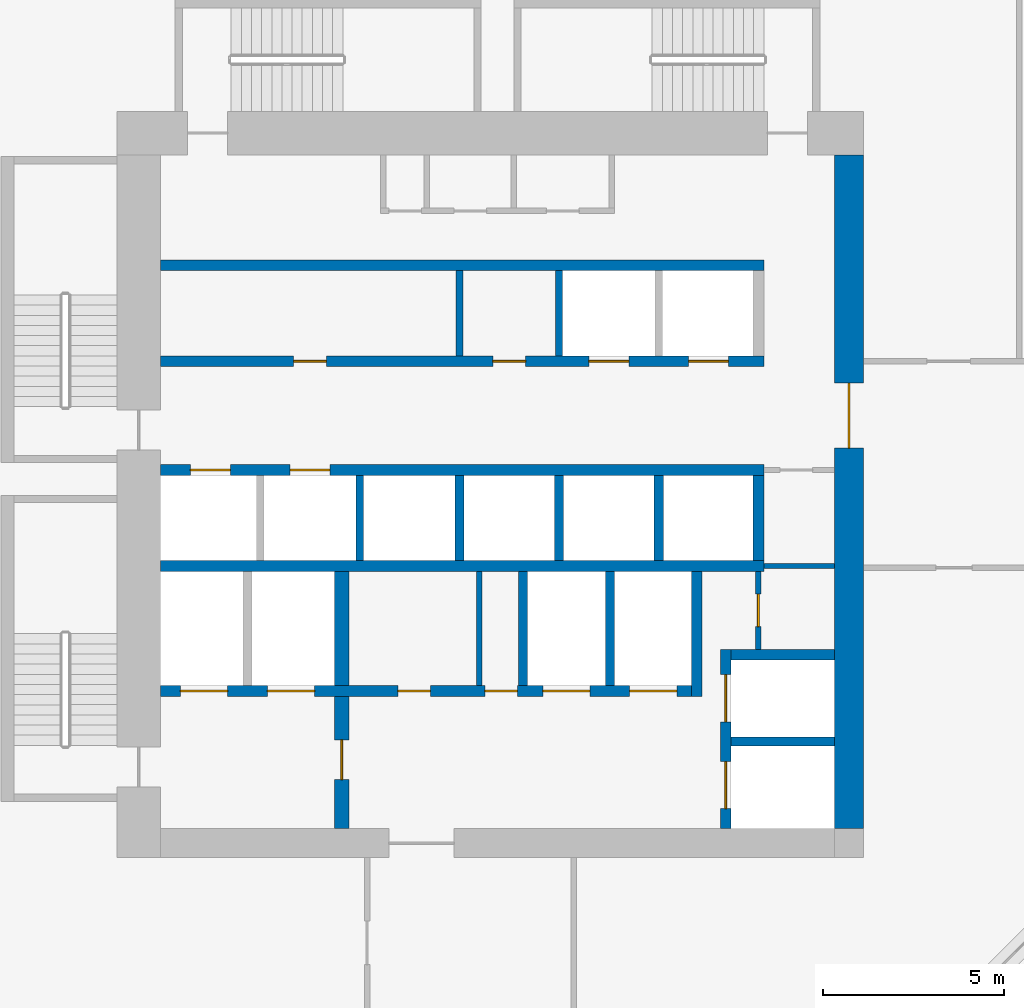
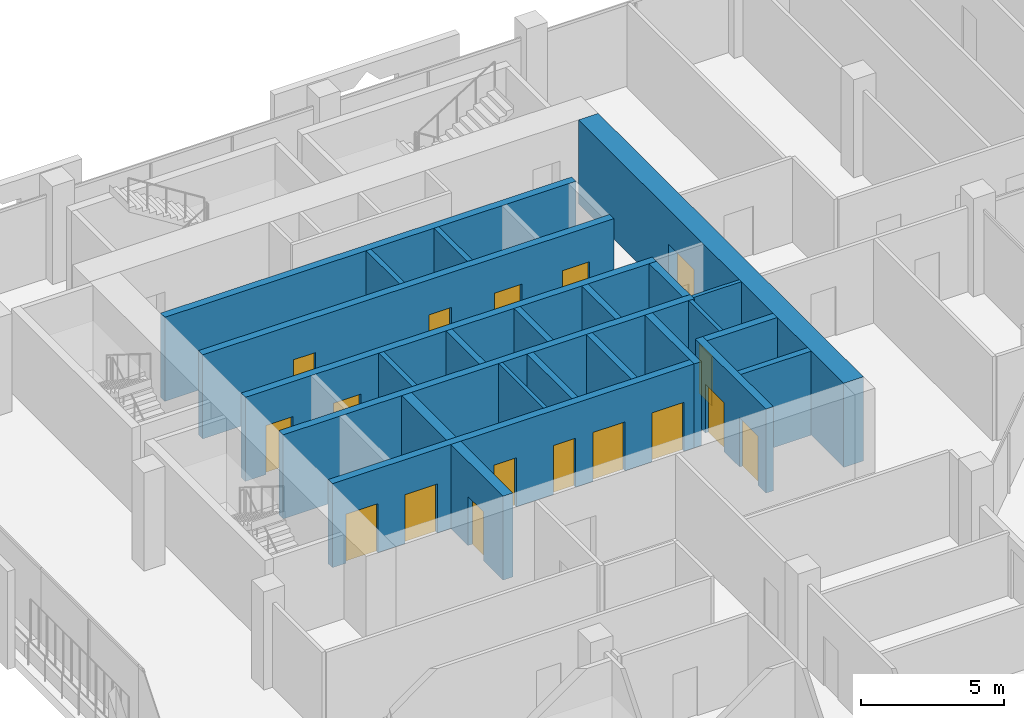
# One storey, part 13 of 23: 24 walls, 17 doors, 17 openings.
"""IFC4 building model written with IfcOpenShell, lengths in metres."""

from ifc_helpers import new_model, si_unit, direction, frame, frame_2d, origin, place, context, subcontext, project, spatial, rectangle, extrude, material, layer, layer_set, type_object, element, fill, save


model = new_model("IFC4")

# Units and contexts
model_context = context("Model", 3, precision=1e-05, world=origin(), true_north=direction((0.0, 1.0)))
body_context = subcontext(model_context, "Body", "Model", "MODEL_VIEW")
ifc_project = project(units=[si_unit("LENGTHUNIT", "METRE"), si_unit("AREAUNIT", "SQUARE_METRE"), si_unit("VOLUMEUNIT", "CUBIC_METRE"), si_unit("PLANEANGLEUNIT", "RADIAN"), si_unit("MASSUNIT", "GRAM", prefix="KILO")], contexts=[model_context])

# Site, building, storey
site_placement = place(None, origin())
site = spatial("IfcSite", under=ifc_project, at=site_placement, CompositionType="ELEMENT")
building_placement = place(site_placement, origin())
building = spatial("IfcBuilding", under=site, at=building_placement, Name="Kawkab Arch Medical Tower", CompositionType="ELEMENT")
storey_placement = place(building_placement, frame((0.0, 0.0, 222.199951171875)))
storey = spatial("IfcBuildingStorey", under=building, at=storey_placement, Name="L51", CompositionType="ELEMENT", Elevation=222.199951171875)

# Wall, opening, door
ifc_material_1 = material(Name="Concrete C50/60", Category="concrete")
ifc_layer_1 = layer(ifc_material_1, 0.800048828125)
ifc_layer_set_1 = layer_set([ifc_layer_1], Name="Concrete C50/60")
wall_type_1 = type_object("IfcWallType", Name="Core ring wall 800 C50/60", PredefinedType="SHEAR", material=ifc_layer_set_1)
wall_1_placement = place(storey_placement, frame((24.39990234375, -24.0, 0.0), z_axis=(0.0, 0.0, 1.0), x_axis=(0.0, 1.0, 0.0)))
wall_1 = element("IfcWall", 1, at=wall_1_placement, inside=storey, type_object=wall_type_1, Name="L51 core wall", PredefinedType="SHEAR", context=body_context, shape_type="SweptSolid", body=[
    extrude(rectangle(XDim=18.60009765625, YDim=0.800048828125, at=frame_2d((9.300048828125, 0.0))), origin(), (0.0, 0.0, 1.0), 3.60009765625),
])
opening_1_placement = place(wall_1_placement, frame((10.5, 0.0, 0.0)))
opening_1 = element("IfcOpeningElement", 2, at=opening_1_placement, cuts=wall_1, Name="Opening PD", PredefinedType="OPENING", context=body_context, shape_type="SweptSolid", body=[
    extrude(rectangle(XDim=1.800048828125, YDim=2.10009765625, at=frame_2d((0.89990234375, 1.050048828125))), frame((0.0, 0.409912109375, 0.0), z_axis=(0.0, -1.0, 0.0), x_axis=(1.0, 0.0, 0.0)), (0.0, 0.0, 1.0), 0.820068359375),
])
ifc_material_2 = material(Name="Hollow metal fire door leaf")
door_type_1 = type_object("IfcDoorType", Name="Core entrance doors 1800", OperationType="DOUBLE_DOOR_SINGLE_SWING", PredefinedType="DOOR", material=ifc_material_2)
door_1_placement = place(opening_1_placement, origin())
door_1 = element("IfcDoor", 3, at=door_1_placement, inside=storey, type_object=door_type_1, Name="L51 East entrance doors", OperationType="DOUBLE_DOOR_SINGLE_SWING", OverallHeight=2.10009765625, OverallWidth=1.800048828125, PredefinedType="DOOR", context=body_context, shape_type="SweptSolid", body=[
    extrude(rectangle(XDim=1.800048828125, YDim=2.10009765625, at=frame_2d((0.89990234375, 1.050048828125))), frame((0.0, 0.02490234375, 0.0), z_axis=(0.0, -1.0, 0.0), x_axis=(1.0, 0.0, 0.0)), (0.0, 0.0, 1.0), 0.050048828125),
])
fill(opening_1, door_1)

ifc_material_3 = material(Name="Gypsum board on steel studs", Category="steel")
ifc_layer_2 = layer(ifc_material_3, 0.14990234375)
ifc_layer_set_2 = layer_set([ifc_layer_2], Name="Gypsum board on steel studs")
wall_type_2 = type_object("IfcWallType", Name="Core room partition 150", PredefinedType="PARTITIONING", material=ifc_layer_set_2)
wall_2_placement = place(storey_placement, frame((21.89990234375, -19.050048828125, 0.0), z_axis=(0.0, 0.0, 1.0), x_axis=(0.0, 1.0, 0.0)))
wall_2 = element("IfcWall", 4, at=wall_2_placement, inside=storey, type_object=wall_type_2, Name="L51 core room partition", PredefinedType="PARTITIONING", context=body_context, shape_type="SweptSolid", body=[
    extrude(rectangle(XDim=2.150146484375, YDim=0.14990234375, at=frame_2d((1.0751953125, 0.0))), origin(), (0.0, 0.0, 1.0), 3.60009765625),
])
opening_2_placement = place(wall_2_placement, frame((0.625, 0.0, 0.0)))
opening_2 = element("IfcOpeningElement", 5, at=opening_2_placement, cuts=wall_2, Name="Opening RD", PredefinedType="OPENING", context=body_context, shape_type="SweptSolid", body=[
    extrude(rectangle(XDim=0.89990234375, YDim=2.10009765625, at=frame_2d((0.449951171875, 1.050048828125))), frame((0.0, 0.0849609375, 0.0), z_axis=(0.0, -1.0, 0.0), x_axis=(1.0, 0.0, 0.0)), (0.0, 0.0, 1.0), 0.169921875),
])
ifc_material_4 = material(Name="Hollow metal fire door leaf")
door_type_2 = type_object("IfcDoorType", Name="Core room door 900", OperationType="SINGLE_SWING_LEFT", PredefinedType="DOOR", material=ifc_material_4)
door_2_placement = place(opening_2_placement, origin())
door_2 = element("IfcDoor", 6, at=door_2_placement, inside=storey, type_object=door_type_2, Name="L51 Accessible WC door", OperationType="SINGLE_SWING_LEFT", OverallHeight=2.10009765625, OverallWidth=0.89990234375, PredefinedType="DOOR", context=body_context, shape_type="SweptSolid", body=[
    extrude(rectangle(XDim=0.89990234375, YDim=2.10009765625, at=frame_2d((0.449951171875, 1.050048828125))), frame((0.0, 0.02490234375, 0.0), z_axis=(0.0, -1.0, 0.0), x_axis=(1.0, 0.0, 0.0)), (0.0, 0.0, 1.0), 0.050048828125),
])
fill(opening_2, door_2)

# Walls
wall_3_placement = place(storey_placement, frame((22.050048828125, -16.75, 0.0), z_axis=(0.0, 0.0, 1.0), x_axis=(1.0, 0.0, 0.0)))
element("IfcWall", 7, at=wall_3_placement, inside=storey, type_object=wall_type_2, Name="L51 core room partition", PredefinedType="PARTITIONING", context=body_context, shape_type="SweptSolid", body=[
    extrude(rectangle(XDim=1.949951171875, YDim=0.14990234375, at=frame_2d((0.97509765625, 0.0))), origin(), (0.0, 0.0, 1.0), 3.60009765625),
])
wall_4_placement = place(storey_placement, frame((14.199951171875, -20.050048828125, 0.0), z_axis=(0.0, 0.0, 1.0), x_axis=(0.0, 1.0, 0.0)))
element("IfcWall", 8, at=wall_4_placement, inside=storey, type_object=wall_type_2, Name="L51 core room partition", PredefinedType="PARTITIONING", context=body_context, shape_type="SweptSolid", body=[
    extrude(rectangle(XDim=3.150146484375, YDim=0.14990234375, at=frame_2d((1.5751953125, 0.0))), origin(), (0.0, 0.0, 1.0), 3.60009765625),
])
ifc_material_5 = material(Name="Concrete C60/75", Category="concrete")
ifc_layer_3 = layer(ifc_material_5, 0.25)
ifc_layer_set_3 = layer_set([ifc_layer_3], Name="Concrete C60/75")
wall_type_3 = type_object("IfcWallType", Name="Core shear wall 250 C60/75", PredefinedType="SHEAR", material=ifc_layer_set_3)
wall_5_placement = place(storey_placement, frame((21.14990234375, -21.60009765625, 0.0), z_axis=(0.0, 0.0, 1.0), x_axis=(1.0, 0.0, 0.0)))
element("IfcWall", 9, at=wall_5_placement, inside=storey, type_object=wall_type_3, Name="L51 core shear wall", PredefinedType="SHEAR", context=body_context, shape_type="SweptSolid", body=[
    extrude(rectangle(XDim=2.85009765625, YDim=0.25, at=frame_2d((1.425048828125, 0.0))), origin(), (0.0, 0.0, 1.0), 3.60009765625),
])
for number, where, z_axis, x_axis, name in (
    (10, (15.39990234375, -20.050048828125, 0.0), (0.0, 0.0, 1.0), (0.0, 1.0, 0.0), "L51 core shear wall"),
    (11, (17.800048828125, -20.050048828125, 0.0), (0.0, 0.0, 1.0), (0.0, 1.0, 0.0), "L51 core shear wall"),
):
    element("IfcWall", number, at=place(storey_placement, frame(where, z_axis=z_axis, x_axis=x_axis)), inside=storey, type_object=wall_type_3, Name=name, PredefinedType="SHEAR", context=body_context, shape_type="SweptSolid", body=[
        extrude(rectangle(XDim=3.150146484375, YDim=0.25, at=frame_2d((1.5751953125, 0.0))), origin(), (0.0, 0.0, 1.0), 3.60009765625),
    ])
for number, where, z_axis, x_axis, name in (
    (12, (13.64990234375, -16.60009765625, 0.0), (0.0, 0.0, 1.0), (0.0, 1.0, 0.0), "L51 core shear wall"),
    (13, (16.39990234375, -16.60009765625, 0.0), (0.0, 0.0, 1.0), (0.0, 1.0, 0.0), "L51 core shear wall"),
    (14, (19.14990234375, -16.60009765625, 0.0), (0.0, 0.0, 1.0), (0.0, 1.0, 0.0), "L51 core shear wall"),
):
    element("IfcWall", number, at=place(storey_placement, frame(where, z_axis=z_axis, x_axis=x_axis)), inside=storey, type_object=wall_type_3, Name=name, PredefinedType="SHEAR", context=body_context, shape_type="SweptSolid", body=[
        extrude(rectangle(XDim=2.35009765625, YDim=0.25, at=frame_2d((1.175048828125, 0.0))), origin(), (0.0, 0.0, 1.0), 3.60009765625),
    ])
ifc_material_6 = material(Name="Concrete C60/75", Category="concrete")
ifc_layer_4 = layer(ifc_material_6, 0.300048828125)
ifc_layer_set_4 = layer_set([ifc_layer_4], Name="Concrete C60/75")
wall_type_4 = type_object("IfcWallType", Name="Core shear wall 300 C60/75", PredefinedType="SHEAR", material=ifc_layer_set_4)
wall_6_placement = place(storey_placement, frame((5.39990234375, -8.449951171875, 0.0), z_axis=(0.0, 0.0, 1.0), x_axis=(1.0, 0.0, 0.0)))
element("IfcWall", 15, at=wall_6_placement, inside=storey, type_object=wall_type_4, Name="L51 core shear wall", PredefinedType="SHEAR", context=body_context, shape_type="SweptSolid", body=[
    extrude(rectangle(XDim=16.650146484375, YDim=0.300048828125, at=frame_2d((8.3251953125, 0.0))), origin(), (0.0, 0.0, 1.0), 3.60009765625),
])

# Wall, openings, doors
wall_7_placement = place(storey_placement, frame((5.39990234375, -11.10009765625, 0.0), z_axis=(0.0, 0.0, 1.0), x_axis=(1.0, 0.0, 0.0)))
wall_7 = element("IfcWall", 16, at=wall_7_placement, inside=storey, type_object=wall_type_4, Name="L51 core shear wall", PredefinedType="SHEAR", context=body_context, shape_type="SweptSolid", body=[
    extrude(rectangle(XDim=16.650146484375, YDim=0.300048828125, at=frame_2d((8.3251953125, 0.0))), origin(), (0.0, 0.0, 1.0), 3.60009765625),
])
opening_3_placement = place(wall_7_placement, frame((11.824951171875, 0.0, 0.0)))
opening_3 = element("IfcOpeningElement", 17, at=opening_3_placement, cuts=wall_7, Name="Opening LD1", PredefinedType="OPENING", context=body_context, shape_type="SweptSolid", body=[
    extrude(rectangle(XDim=1.10009765625, YDim=2.10009765625, at=frame_2d((0.550048828125, 1.050048828125))), frame((0.0, 0.159912109375, 0.0), z_axis=(0.0, -1.0, 0.0), x_axis=(1.0, 0.0, 0.0)), (0.0, 0.0, 1.0), 0.320068359375),
])
opening_4_placement = place(wall_7_placement, frame((14.574951171875, 0.0, 0.0)))
opening_4 = element("IfcOpeningElement", 18, at=opening_4_placement, cuts=wall_7, Name="Opening LD1", PredefinedType="OPENING", context=body_context, shape_type="SweptSolid", body=[
    extrude(rectangle(XDim=1.10009765625, YDim=2.10009765625, at=frame_2d((0.550048828125, 1.050048828125))), frame((0.0, 0.159912109375, 0.0), z_axis=(0.0, -1.0, 0.0), x_axis=(1.0, 0.0, 0.0)), (0.0, 0.0, 1.0), 0.320068359375),
])
opening_5_placement = place(wall_7_placement, frame((3.675048828125, 0.0, 0.0)))
opening_5 = element("IfcOpeningElement", 19, at=opening_5_placement, cuts=wall_7, Name="Opening RD", PredefinedType="OPENING", context=body_context, shape_type="SweptSolid", body=[
    extrude(rectangle(XDim=0.89990234375, YDim=2.10009765625, at=frame_2d((0.449951171875, 1.050048828125))), frame((0.0, 0.159912109375, 0.0), z_axis=(0.0, -1.0, 0.0), x_axis=(1.0, 0.0, 0.0)), (0.0, 0.0, 1.0), 0.320068359375),
])
opening_6_placement = place(wall_7_placement, frame((9.175048828125, 0.0, 0.0)))
opening_6 = element("IfcOpeningElement", 20, at=opening_6_placement, cuts=wall_7, Name="Opening RD", PredefinedType="OPENING", context=body_context, shape_type="SweptSolid", body=[
    extrude(rectangle(XDim=0.89990234375, YDim=2.10009765625, at=frame_2d((0.449951171875, 1.050048828125))), frame((0.0, 0.159912109375, 0.0), z_axis=(0.0, -1.0, 0.0), x_axis=(1.0, 0.0, 0.0)), (0.0, 0.0, 1.0), 0.320068359375),
])
door_3_placement = place(opening_5_placement, origin())
door_3 = element("IfcDoor", 21, at=door_3_placement, inside=storey, type_object=door_type_2, Name="L51 Clean utility room door", OperationType="SINGLE_SWING_LEFT", OverallHeight=2.10009765625, OverallWidth=0.89990234375, PredefinedType="DOOR", context=body_context, shape_type="SweptSolid", body=[
    extrude(rectangle(XDim=0.89990234375, YDim=2.10009765625, at=frame_2d((0.449951171875, 1.050048828125))), frame((0.0, 0.02490234375, 0.0), z_axis=(0.0, -1.0, 0.0), x_axis=(1.0, 0.0, 0.0)), (0.0, 0.0, 1.0), 0.050048828125),
])
fill(opening_5, door_3)
door_4_placement = place(opening_6_placement, origin())
door_4 = element("IfcDoor", 22, at=door_4_placement, inside=storey, type_object=door_type_2, Name="L51 General store door", OperationType="SINGLE_SWING_LEFT", OverallHeight=2.10009765625, OverallWidth=0.89990234375, PredefinedType="DOOR", context=body_context, shape_type="SweptSolid", body=[
    extrude(rectangle(XDim=0.89990234375, YDim=2.10009765625, at=frame_2d((0.449951171875, 1.050048828125))), frame((0.0, 0.02490234375, 0.0), z_axis=(0.0, -1.0, 0.0), x_axis=(1.0, 0.0, 0.0)), (0.0, 0.0, 1.0), 0.050048828125),
])
fill(opening_6, door_4)
ifc_material_7 = material(Name="Stainless steel lift door leaf", Category="steel")
door_type_3 = type_object("IfcDoorType", Name="Lift landing door 1100", OperationType="DOUBLE_DOOR_SLIDING", PredefinedType="DOOR", material=ifc_material_7)
door_5_placement = place(opening_3_placement, origin())
door_5 = element("IfcDoor", 23, at=door_5_placement, inside=storey, type_object=door_type_3, Name="L51 Lift landing door MP1", OperationType="DOUBLE_DOOR_SLIDING", OverallHeight=2.10009765625, OverallWidth=1.10009765625, PredefinedType="DOOR", context=body_context, shape_type="SweptSolid", body=[
    extrude(rectangle(XDim=1.10009765625, YDim=2.10009765625, at=frame_2d((0.550048828125, 1.050048828125))), frame((0.0, 0.02490234375, 0.0), z_axis=(0.0, -1.0, 0.0), x_axis=(1.0, 0.0, 0.0)), (0.0, 0.0, 1.0), 0.050048828125),
])
fill(opening_3, door_5)
door_6_placement = place(opening_4_placement, origin())
door_6 = element("IfcDoor", 24, at=door_6_placement, inside=storey, type_object=door_type_3, Name="L51 Lift landing door MP2", OperationType="DOUBLE_DOOR_SLIDING", OverallHeight=2.10009765625, OverallWidth=1.10009765625, PredefinedType="DOOR", context=body_context, shape_type="SweptSolid", body=[
    extrude(rectangle(XDim=1.10009765625, YDim=2.10009765625, at=frame_2d((0.550048828125, 1.050048828125))), frame((0.0, 0.02490234375, 0.0), z_axis=(0.0, -1.0, 0.0), x_axis=(1.0, 0.0, 0.0)), (0.0, 0.0, 1.0), 0.050048828125),
])
fill(opening_4, door_6)

wall_8_placement = place(storey_placement, frame((5.39990234375, -14.10009765625, 0.0), z_axis=(0.0, 0.0, 1.0), x_axis=(1.0, 0.0, 0.0)))
wall_8 = element("IfcWall", 25, at=wall_8_placement, inside=storey, type_object=wall_type_4, Name="L51 core shear wall", PredefinedType="SHEAR", context=body_context, shape_type="SweptSolid", body=[
    extrude(rectangle(XDim=16.650146484375, YDim=0.300048828125, at=frame_2d((8.3251953125, 0.0))), origin(), (0.0, 0.0, 1.0), 3.60009765625),
])
opening_7_placement = place(wall_8_placement, frame((0.824951171875, 0.0, 0.0)))
opening_7 = element("IfcOpeningElement", 26, at=opening_7_placement, cuts=wall_8, Name="Opening LD1", PredefinedType="OPENING", context=body_context, shape_type="SweptSolid", body=[
    extrude(rectangle(XDim=1.10009765625, YDim=2.10009765625, at=frame_2d((0.550048828125, 1.050048828125))), frame((0.0, 0.159912109375, 0.0), z_axis=(0.0, -1.0, 0.0), x_axis=(1.0, 0.0, 0.0)), (0.0, 0.0, 1.0), 0.320068359375),
])
opening_8_placement = place(wall_8_placement, frame((3.574951171875, 0.0, 0.0)))
opening_8 = element("IfcOpeningElement", 27, at=opening_8_placement, cuts=wall_8, Name="Opening LD1", PredefinedType="OPENING", context=body_context, shape_type="SweptSolid", body=[
    extrude(rectangle(XDim=1.10009765625, YDim=2.10009765625, at=frame_2d((0.550048828125, 1.050048828125))), frame((0.0, 0.159912109375, 0.0), z_axis=(0.0, -1.0, 0.0), x_axis=(1.0, 0.0, 0.0)), (0.0, 0.0, 1.0), 0.320068359375),
])
door_7_placement = place(opening_7_placement, origin())
door_7 = element("IfcDoor", 28, at=door_7_placement, inside=storey, type_object=door_type_3, Name="L51 Lift landing door MP3", OperationType="DOUBLE_DOOR_SLIDING", OverallHeight=2.10009765625, OverallWidth=1.10009765625, PredefinedType="DOOR", context=body_context, shape_type="SweptSolid", body=[
    extrude(rectangle(XDim=1.10009765625, YDim=2.10009765625, at=frame_2d((0.550048828125, 1.050048828125))), frame((0.0, 0.02490234375, 0.0), z_axis=(0.0, -1.0, 0.0), x_axis=(1.0, 0.0, 0.0)), (0.0, 0.0, 1.0), 0.050048828125),
])
fill(opening_7, door_7)
door_8_placement = place(opening_8_placement, origin())
door_8 = element("IfcDoor", 29, at=door_8_placement, inside=storey, type_object=door_type_3, Name="L51 Lift landing door MP4", OperationType="DOUBLE_DOOR_SLIDING", OverallHeight=2.10009765625, OverallWidth=1.10009765625, PredefinedType="DOOR", context=body_context, shape_type="SweptSolid", body=[
    extrude(rectangle(XDim=1.10009765625, YDim=2.10009765625, at=frame_2d((0.550048828125, 1.050048828125))), frame((0.0, 0.02490234375, 0.0), z_axis=(0.0, -1.0, 0.0), x_axis=(1.0, 0.0, 0.0)), (0.0, 0.0, 1.0), 0.050048828125),
])
fill(opening_8, door_8)

# Wall
wall_9_placement = place(storey_placement, frame((5.39990234375, -16.75, 0.0), z_axis=(0.0, 0.0, 1.0), x_axis=(1.0, 0.0, 0.0)))
element("IfcWall", 30, at=wall_9_placement, inside=storey, type_object=wall_type_4, Name="L51 core shear wall", PredefinedType="SHEAR", context=body_context, shape_type="SweptSolid", body=[
    extrude(rectangle(XDim=16.650146484375, YDim=0.300048828125, at=frame_2d((8.3251953125, 0.0))), origin(), (0.0, 0.0, 1.0), 3.60009765625),
])

# Wall, openings, doors
wall_10_placement = place(storey_placement, frame((5.39990234375, -20.199951171875, 0.0), z_axis=(0.0, 0.0, 1.0), x_axis=(1.0, 0.0, 0.0)))
wall_10 = element("IfcWall", 31, at=wall_10_placement, inside=storey, type_object=wall_type_4, Name="L51 core shear wall", PredefinedType="SHEAR", context=body_context, shape_type="SweptSolid", body=[
    extrude(rectangle(XDim=14.650146484375, YDim=0.300048828125, at=frame_2d((7.3251953125, 0.0))), origin(), (0.0, 0.0, 1.0), 3.60009765625),
])
opening_9_placement = place(wall_10_placement, frame((10.550048828125, 0.0, 0.0)))
opening_9 = element("IfcOpeningElement", 32, at=opening_9_placement, cuts=wall_10, Name="Opening LD2", PredefinedType="OPENING", context=body_context, shape_type="SweptSolid", body=[
    extrude(rectangle(XDim=1.300048828125, YDim=2.10009765625, at=frame_2d((0.64990234375, 1.050048828125))), frame((0.0, 0.159912109375, 0.0), z_axis=(0.0, -1.0, 0.0), x_axis=(1.0, 0.0, 0.0)), (0.0, 0.0, 1.0), 0.320068359375),
])
opening_10_placement = place(wall_10_placement, frame((12.949951171875, 0.0, 0.0)))
opening_10 = element("IfcOpeningElement", 33, at=opening_10_placement, cuts=wall_10, Name="Opening LD2", PredefinedType="OPENING", context=body_context, shape_type="SweptSolid", body=[
    extrude(rectangle(XDim=1.300048828125, YDim=2.10009765625, at=frame_2d((0.64990234375, 1.050048828125))), frame((0.0, 0.159912109375, 0.0), z_axis=(0.0, -1.0, 0.0), x_axis=(1.0, 0.0, 0.0)), (0.0, 0.0, 1.0), 0.320068359375),
])
opening_11_placement = place(wall_10_placement, frame((0.550048828125, 0.0, 0.0)))
opening_11 = element("IfcOpeningElement", 34, at=opening_11_placement, cuts=wall_10, Name="Opening LD2", PredefinedType="OPENING", context=body_context, shape_type="SweptSolid", body=[
    extrude(rectangle(XDim=1.300048828125, YDim=2.10009765625, at=frame_2d((0.64990234375, 1.050048828125))), frame((0.0, 0.159912109375, 0.0), z_axis=(0.0, -1.0, 0.0), x_axis=(1.0, 0.0, 0.0)), (0.0, 0.0, 1.0), 0.320068359375),
])
opening_12_placement = place(wall_10_placement, frame((2.949951171875, 0.0, 0.0)))
opening_12 = element("IfcOpeningElement", 35, at=opening_12_placement, cuts=wall_10, Name="Opening LD2", PredefinedType="OPENING", context=body_context, shape_type="SweptSolid", body=[
    extrude(rectangle(XDim=1.300048828125, YDim=2.10009765625, at=frame_2d((0.64990234375, 1.050048828125))), frame((0.0, 0.159912109375, 0.0), z_axis=(0.0, -1.0, 0.0), x_axis=(1.0, 0.0, 0.0)), (0.0, 0.0, 1.0), 0.320068359375),
])
opening_13_placement = place(wall_10_placement, frame((6.550048828125, 0.0, 0.0)))
opening_13 = element("IfcOpeningElement", 36, at=opening_13_placement, cuts=wall_10, Name="Opening RD", PredefinedType="OPENING", context=body_context, shape_type="SweptSolid", body=[
    extrude(rectangle(XDim=0.89990234375, YDim=2.10009765625, at=frame_2d((0.449951171875, 1.050048828125))), frame((0.0, 0.159912109375, 0.0), z_axis=(0.0, -1.0, 0.0), x_axis=(1.0, 0.0, 0.0)), (0.0, 0.0, 1.0), 0.320068359375),
])
opening_14_placement = place(wall_10_placement, frame((8.949951171875, 0.0, 0.0)))
opening_14 = element("IfcOpeningElement", 37, at=opening_14_placement, cuts=wall_10, Name="Opening RD", PredefinedType="OPENING", context=body_context, shape_type="SweptSolid", body=[
    extrude(rectangle(XDim=0.89990234375, YDim=2.10009765625, at=frame_2d((0.449951171875, 1.050048828125))), frame((0.0, 0.159912109375, 0.0), z_axis=(0.0, -1.0, 0.0), x_axis=(1.0, 0.0, 0.0)), (0.0, 0.0, 1.0), 0.320068359375),
])
door_9_placement = place(opening_13_placement, origin())
door_9 = element("IfcDoor", 38, at=door_9_placement, inside=storey, type_object=door_type_2, Name="L51 Ward pantry door", OperationType="SINGLE_SWING_LEFT", OverallHeight=2.10009765625, OverallWidth=0.89990234375, PredefinedType="DOOR", context=body_context, shape_type="SweptSolid", body=[
    extrude(rectangle(XDim=0.89990234375, YDim=2.10009765625, at=frame_2d((0.449951171875, 1.050048828125))), frame((0.0, 0.02490234375, 0.0), z_axis=(0.0, -1.0, 0.0), x_axis=(1.0, 0.0, 0.0)), (0.0, 0.0, 1.0), 0.050048828125),
])
fill(opening_13, door_9)
door_10_placement = place(opening_14_placement, origin())
door_10 = element("IfcDoor", 39, at=door_10_placement, inside=storey, type_object=door_type_2, Name="L51 Linen store door", OperationType="SINGLE_SWING_LEFT", OverallHeight=2.10009765625, OverallWidth=0.89990234375, PredefinedType="DOOR", context=body_context, shape_type="SweptSolid", body=[
    extrude(rectangle(XDim=0.89990234375, YDim=2.10009765625, at=frame_2d((0.449951171875, 1.050048828125))), frame((0.0, 0.02490234375, 0.0), z_axis=(0.0, -1.0, 0.0), x_axis=(1.0, 0.0, 0.0)), (0.0, 0.0, 1.0), 0.050048828125),
])
fill(opening_14, door_10)
ifc_material_8 = material(Name="Stainless steel lift door leaf", Category="steel")
door_type_4 = type_object("IfcDoorType", Name="Lift landing door 1300", OperationType="DOUBLE_DOOR_SLIDING", PredefinedType="DOOR", material=ifc_material_8)
door_11_placement = place(opening_9_placement, origin())
door_11 = element("IfcDoor", 40, at=door_11_placement, inside=storey, type_object=door_type_4, Name="L51 Lift landing door BD3", OperationType="DOUBLE_DOOR_SLIDING", OverallHeight=2.10009765625, OverallWidth=1.300048828125, PredefinedType="DOOR", context=body_context, shape_type="SweptSolid", body=[
    extrude(rectangle(XDim=1.300048828125, YDim=2.10009765625, at=frame_2d((0.64990234375, 1.050048828125))), frame((0.0, 0.02490234375, 0.0), z_axis=(0.0, -1.0, 0.0), x_axis=(1.0, 0.0, 0.0)), (0.0, 0.0, 1.0), 0.050048828125),
])
fill(opening_9, door_11)
door_12_placement = place(opening_10_placement, origin())
door_12 = element("IfcDoor", 41, at=door_12_placement, inside=storey, type_object=door_type_4, Name="L51 Lift landing door BD4", OperationType="DOUBLE_DOOR_SLIDING", OverallHeight=2.10009765625, OverallWidth=1.300048828125, PredefinedType="DOOR", context=body_context, shape_type="SweptSolid", body=[
    extrude(rectangle(XDim=1.300048828125, YDim=2.10009765625, at=frame_2d((0.64990234375, 1.050048828125))), frame((0.0, 0.02490234375, 0.0), z_axis=(0.0, -1.0, 0.0), x_axis=(1.0, 0.0, 0.0)), (0.0, 0.0, 1.0), 0.050048828125),
])
fill(opening_10, door_12)
door_13_placement = place(opening_11_placement, origin())
door_13 = element("IfcDoor", 42, at=door_13_placement, inside=storey, type_object=door_type_4, Name="L51 Lift landing door FL1", OperationType="DOUBLE_DOOR_SLIDING", OverallHeight=2.10009765625, OverallWidth=1.300048828125, PredefinedType="DOOR", context=body_context, shape_type="SweptSolid", body=[
    extrude(rectangle(XDim=1.300048828125, YDim=2.10009765625, at=frame_2d((0.64990234375, 1.050048828125))), frame((0.0, 0.02490234375, 0.0), z_axis=(0.0, -1.0, 0.0), x_axis=(1.0, 0.0, 0.0)), (0.0, 0.0, 1.0), 0.050048828125),
])
fill(opening_11, door_13)
door_14_placement = place(opening_12_placement, origin())
door_14 = element("IfcDoor", 43, at=door_14_placement, inside=storey, type_object=door_type_4, Name="L51 Lift landing door FL2", OperationType="DOUBLE_DOOR_SLIDING", OverallHeight=2.10009765625, OverallWidth=1.300048828125, PredefinedType="DOOR", context=body_context, shape_type="SweptSolid", body=[
    extrude(rectangle(XDim=1.300048828125, YDim=2.10009765625, at=frame_2d((0.64990234375, 1.050048828125))), frame((0.0, 0.02490234375, 0.0), z_axis=(0.0, -1.0, 0.0), x_axis=(1.0, 0.0, 0.0)), (0.0, 0.0, 1.0), 0.050048828125),
])
fill(opening_12, door_14)

# Walls
wall_11_placement = place(storey_placement, frame((20.199951171875, -20.35009765625, 0.0), z_axis=(0.0, 0.0, 1.0), x_axis=(0.0, 1.0, 0.0)))
element("IfcWall", 44, at=wall_11_placement, inside=storey, type_object=wall_type_4, Name="L51 core shear wall", PredefinedType="SHEAR", context=body_context, shape_type="SweptSolid", body=[
    extrude(rectangle(XDim=3.4501953125, YDim=0.300048828125, at=frame_2d((1.72509765625, 0.0))), origin(), (0.0, 0.0, 1.0), 3.60009765625),
])
wall_12_placement = place(storey_placement, frame((21.89990234375, -16.60009765625, 0.0), z_axis=(0.0, 0.0, 1.0), x_axis=(0.0, 1.0, 0.0)))
element("IfcWall", 45, at=wall_12_placement, inside=storey, type_object=wall_type_4, Name="L51 core shear wall", PredefinedType="SHEAR", context=body_context, shape_type="SweptSolid", body=[
    extrude(rectangle(XDim=2.35009765625, YDim=0.300048828125, at=frame_2d((1.175048828125, 0.0))), origin(), (0.0, 0.0, 1.0), 3.60009765625),
])
wall_13_placement = place(storey_placement, frame((21.14990234375, -19.199951171875, 0.0), z_axis=(0.0, 0.0, 1.0), x_axis=(1.0, 0.0, 0.0)))
element("IfcWall", 46, at=wall_13_placement, inside=storey, type_object=wall_type_4, Name="L51 core shear wall", PredefinedType="SHEAR", context=body_context, shape_type="SweptSolid", body=[
    extrude(rectangle(XDim=2.85009765625, YDim=0.300048828125, at=frame_2d((1.425048828125, 0.0))), origin(), (0.0, 0.0, 1.0), 3.60009765625),
])

# Wall, openings, doors
wall_14_placement = place(storey_placement, frame((21.0, -24.0, 0.0), z_axis=(0.0, 0.0, 1.0), x_axis=(0.0, 1.0, 0.0)))
wall_14 = element("IfcWall", 47, at=wall_14_placement, inside=storey, type_object=wall_type_4, Name="L51 core shear wall", PredefinedType="SHEAR", context=body_context, shape_type="SweptSolid", body=[
    extrude(rectangle(XDim=4.949951171875, YDim=0.300048828125, at=frame_2d((2.47509765625, 0.0))), origin(), (0.0, 0.0, 1.0), 3.60009765625),
])
opening_15_placement = place(wall_14_placement, frame((2.949951171875, 0.0, 0.0)))
opening_15 = element("IfcOpeningElement", 48, at=opening_15_placement, cuts=wall_14, Name="Opening LD2", PredefinedType="OPENING", context=body_context, shape_type="SweptSolid", body=[
    extrude(rectangle(XDim=1.300048828125, YDim=2.10009765625, at=frame_2d((0.64990234375, 1.050048828125))), frame((0.0, 0.159912109375, 0.0), z_axis=(0.0, -1.0, 0.0), x_axis=(1.0, 0.0, 0.0)), (0.0, 0.0, 1.0), 0.320068359375),
])
opening_16_placement = place(wall_14_placement, frame((0.550048828125, 0.0, 0.0)))
opening_16 = element("IfcOpeningElement", 49, at=opening_16_placement, cuts=wall_14, Name="Opening LD2", PredefinedType="OPENING", context=body_context, shape_type="SweptSolid", body=[
    extrude(rectangle(XDim=1.300048828125, YDim=2.10009765625, at=frame_2d((0.64990234375, 1.050048828125))), frame((0.0, 0.159912109375, 0.0), z_axis=(0.0, -1.0, 0.0), x_axis=(1.0, 0.0, 0.0)), (0.0, 0.0, 1.0), 0.320068359375),
])
door_15_placement = place(opening_15_placement, origin())
door_15 = element("IfcDoor", 50, at=door_15_placement, inside=storey, type_object=door_type_4, Name="L51 Lift landing door BD1", OperationType="DOUBLE_DOOR_SLIDING", OverallHeight=2.10009765625, OverallWidth=1.300048828125, PredefinedType="DOOR", context=body_context, shape_type="SweptSolid", body=[
    extrude(rectangle(XDim=1.300048828125, YDim=2.10009765625, at=frame_2d((0.64990234375, 1.050048828125))), frame((0.0, 0.02490234375, 0.0), z_axis=(0.0, -1.0, 0.0), x_axis=(1.0, 0.0, 0.0)), (0.0, 0.0, 1.0), 0.050048828125),
])
fill(opening_15, door_15)
door_16_placement = place(opening_16_placement, origin())
door_16 = element("IfcDoor", 51, at=door_16_placement, inside=storey, type_object=door_type_4, Name="L51 Lift landing door BD2", OperationType="DOUBLE_DOOR_SLIDING", OverallHeight=2.10009765625, OverallWidth=1.300048828125, PredefinedType="DOOR", context=body_context, shape_type="SweptSolid", body=[
    extrude(rectangle(XDim=1.300048828125, YDim=2.10009765625, at=frame_2d((0.64990234375, 1.050048828125))), frame((0.0, 0.02490234375, 0.0), z_axis=(0.0, -1.0, 0.0), x_axis=(1.0, 0.0, 0.0)), (0.0, 0.0, 1.0), 0.050048828125),
])
fill(opening_16, door_16)

# Wall, opening, door
ifc_material_9 = material(Name="Concrete C60/75", Category="concrete")
ifc_layer_5 = layer(ifc_material_9, 0.39990234375)
ifc_layer_set_5 = layer_set([ifc_layer_5], Name="Concrete C60/75")
wall_type_5 = type_object("IfcWallType", Name="Core shear wall 400 C60/75", PredefinedType="SHEAR", material=ifc_layer_set_5)
wall_15_placement = place(storey_placement, frame((10.39990234375, -24.0, 0.0), z_axis=(0.0, 0.0, 1.0), x_axis=(0.0, 1.0, 0.0)))
wall_15 = element("IfcWall", 52, at=wall_15_placement, inside=storey, type_object=wall_type_5, Name="L51 core shear wall", PredefinedType="SHEAR", context=body_context, shape_type="SweptSolid", body=[
    extrude(rectangle(XDim=3.64990234375, YDim=0.39990234375, at=frame_2d((1.824951171875, 0.0))), origin(), (0.0, 0.0, 1.0), 3.60009765625),
])
opening_17_placement = place(wall_15_placement, frame((1.35009765625, 0.0, 0.0)))
opening_17 = element("IfcOpeningElement", 53, at=opening_17_placement, cuts=wall_15, Name="Opening FD", PredefinedType="OPENING", context=body_context, shape_type="SweptSolid", body=[
    extrude(rectangle(XDim=1.10009765625, YDim=2.10009765625, at=frame_2d((0.550048828125, 1.050048828125))), frame((0.0, 0.2099609375, 0.0), z_axis=(0.0, -1.0, 0.0), x_axis=(1.0, 0.0, 0.0)), (0.0, 0.0, 1.0), 0.419921875),
])
ifc_material_10 = material(Name="Hollow metal fire door leaf")
door_type_5 = type_object("IfcDoorType", Name="Firefighting lobby door 1100", OperationType="SINGLE_SWING_LEFT", PredefinedType="DOOR", material=ifc_material_10)
door_17_placement = place(opening_17_placement, origin())
door_17 = element("IfcDoor", 54, at=door_17_placement, inside=storey, type_object=door_type_5, Name="L51 Firefighting lobby door", OperationType="SINGLE_SWING_LEFT", OverallHeight=2.10009765625, OverallWidth=1.10009765625, PredefinedType="DOOR", context=body_context, shape_type="SweptSolid", body=[
    extrude(rectangle(XDim=1.10009765625, YDim=2.10009765625, at=frame_2d((0.550048828125, 1.050048828125))), frame((0.0, 0.02490234375, 0.0), z_axis=(0.0, -1.0, 0.0), x_axis=(1.0, 0.0, 0.0)), (0.0, 0.0, 1.0), 0.050048828125),
])
fill(opening_17, door_17)

# Walls
wall_16_placement = place(storey_placement, frame((10.39990234375, -20.050048828125, 0.0), z_axis=(0.0, 0.0, 1.0), x_axis=(0.0, 1.0, 0.0)))
element("IfcWall", 55, at=wall_16_placement, inside=storey, type_object=wall_type_5, Name="L51 core shear wall", PredefinedType="SHEAR", context=body_context, shape_type="SweptSolid", body=[
    extrude(rectangle(XDim=3.150146484375, YDim=0.39990234375, at=frame_2d((1.5751953125, 0.0))), origin(), (0.0, 0.0, 1.0), 3.60009765625),
])
ifc_material_11 = material(Name="Dense concrete blockwork", Category="masonry")
ifc_layer_6 = layer(ifc_material_11, 0.199951171875)
ifc_layer_set_6 = layer_set([ifc_layer_6], Name="Dense concrete blockwork")
wall_type_6 = type_object("IfcWallType", Name="Lift shaft partition 200", PredefinedType="PARTITIONING", material=ifc_layer_set_6)
for number, where, z_axis, x_axis, name in (
    (56, (13.64990234375, -10.949951171875, 0.0), (0.0, 0.0, 1.0), (0.0, 1.0, 0.0), "L51 lift shaft partition"),
    (57, (16.39990234375, -10.949951171875, 0.0), (0.0, 0.0, 1.0), (0.0, 1.0, 0.0), "L51 lift shaft partition"),
):
    element("IfcWall", number, at=place(storey_placement, frame(where, z_axis=z_axis, x_axis=x_axis)), inside=storey, type_object=wall_type_6, Name=name, PredefinedType="PARTITIONING", context=body_context, shape_type="SweptSolid", body=[
        extrude(rectangle(XDim=2.349853515625, YDim=0.199951171875, at=frame_2d((1.1748046875, 0.0))), origin(), (0.0, 0.0, 1.0), 3.60009765625),
    ])
wall_17_placement = place(storey_placement, frame((10.89990234375, -16.60009765625, 0.0), z_axis=(0.0, 0.0, 1.0), x_axis=(0.0, 1.0, 0.0)))
element("IfcWall", 58, at=wall_17_placement, inside=storey, type_object=wall_type_6, Name="L51 lift shaft partition", PredefinedType="PARTITIONING", context=body_context, shape_type="SweptSolid", body=[
    extrude(rectangle(XDim=2.35009765625, YDim=0.199951171875, at=frame_2d((1.175048828125, 0.0))), origin(), (0.0, 0.0, 1.0), 3.60009765625),
])

save(model, "model.ifc")
